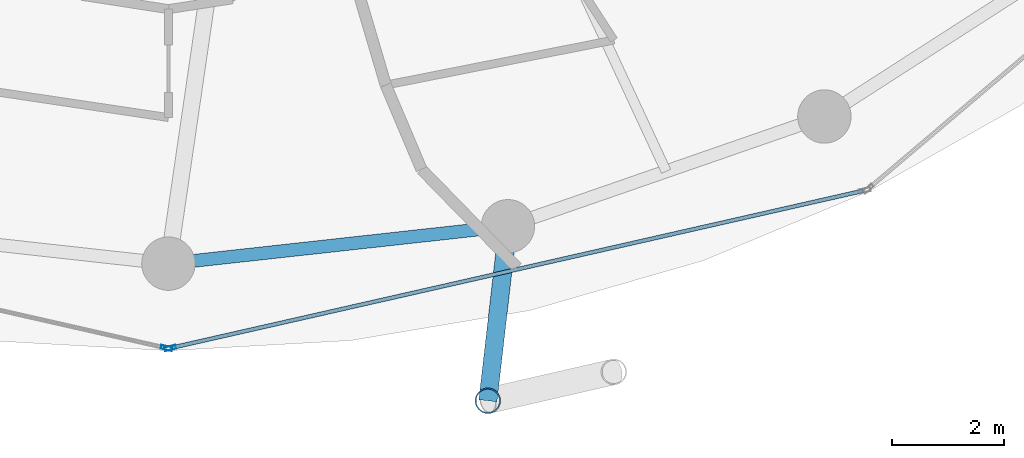
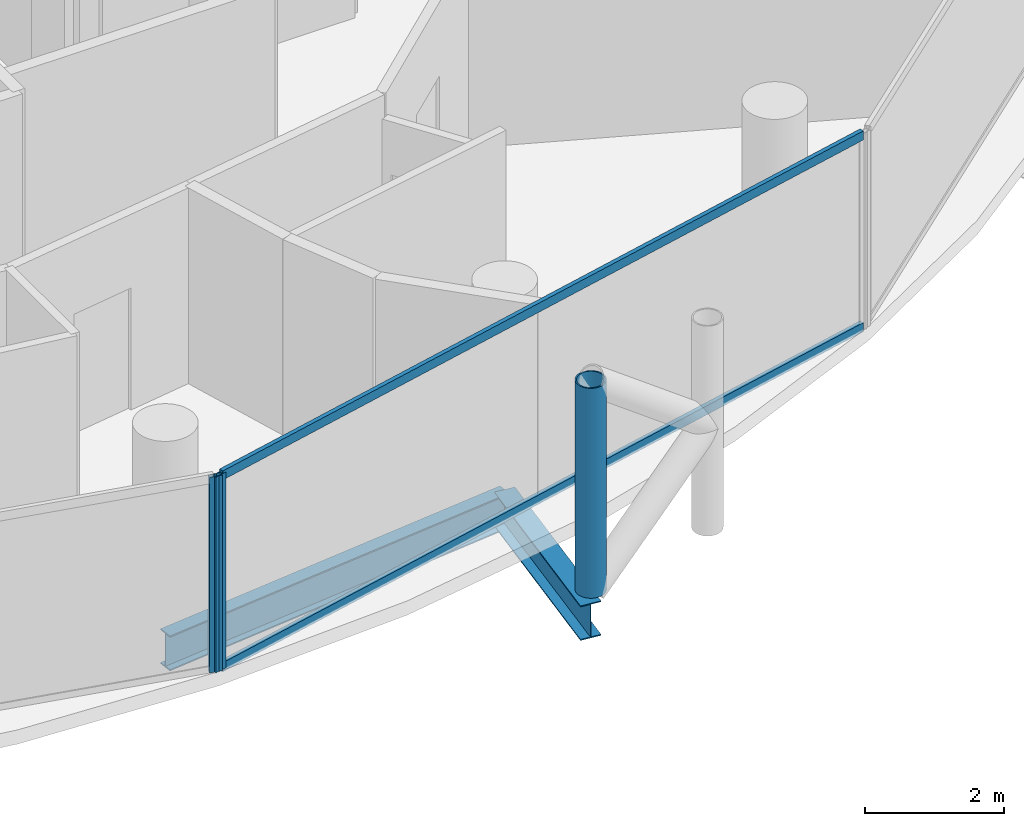
# One storey, part 4 of 26: 5 members, 2 beams, 2 elements without a shape of their own.
"""IFC4 building model written with IfcOpenShell, lengths in metres."""

from ifc_helpers import new_model, si_unit, direction, frame, origin, origin_2d, place, context, subcontext, project, spatial, hollow_rectangle, hollow_circle, i_section, extrude, material, layer, layer_set, material_profile, profile_set, type_object, element, aggregate, save


model = new_model("IFC4")

# Units and contexts
model_context = context("Model", 3, precision=1e-05, world=origin(), true_north=direction((0.0, 1.0)))
body_context = subcontext(model_context, "Body", "Model", "MODEL_VIEW")
ifc_project = project(units=[si_unit("LENGTHUNIT", "METRE"), si_unit("AREAUNIT", "SQUARE_METRE"), si_unit("VOLUMEUNIT", "CUBIC_METRE"), si_unit("PLANEANGLEUNIT", "RADIAN"), si_unit("MASSUNIT", "GRAM", prefix="KILO")], contexts=[model_context])

# Site, building, storey
site_placement = place(None, origin())
site = spatial("IfcSite", under=ifc_project, at=site_placement, CompositionType="ELEMENT")
building_placement = place(site_placement, origin())
building = spatial("IfcBuilding", under=site, at=building_placement, Name="Nuhasar Tower", CompositionType="ELEMENT")
storey_placement = place(building_placement, frame((0.0, 0.0, 121.949951171875)))
storey = spatial("IfcBuildingStorey", under=building, at=storey_placement, Name="L28", CompositionType="ELEMENT", Elevation=121.949951171875)

# Beams
ifc_material_1 = material(Name="Steel S355", Category="steel")
ifc_material_profile_1 = material_profile(ifc_material_1, i_section(OverallWidth=0.22998046875, OverallDepth=0.616943359375, WebThickness=0.01318359375, FlangeThickness=0.022216796875, at=origin_2d()), Name="W24X94")
ifc_profile_set_1 = profile_set([ifc_material_profile_1], Name="Steel S355")
beam_type_1 = type_object("IfcBeamType", Name="BM-RING-W24X94", PredefinedType="SPANDREL", material=ifc_profile_set_1)
beam_1_placement = place(storey_placement, frame((39.0, 7.25, -0.557861328125), z_axis=(0.993981289157, 0.109549974015, 0.0), x_axis=(-0.109549974015, 0.993981289157, 0.0)))
element("IfcBeam", 1, at=beam_1_placement, inside=storey, type_object=beam_type_1, Name="L28 Perimeter Ring Spandrel 19", PredefinedType="SPANDREL", context=body_context, shape_type="SweptSolid", body=[
    extrude(i_section(OverallWidth=0.22998046875, OverallDepth=0.616943359375, WebThickness=0.01318359375, FlangeThickness=0.022216796875, at=origin_2d()), origin(), (0.0, 0.0, 1.0), 6.07958984375),
])
ifc_material_profile_2 = material_profile(ifc_material_1, i_section(OverallWidth=0.323974609375, OverallDepth=0.611083984375, WebThickness=0.0126953125, FlangeThickness=0.01904296875, at=origin_2d()), Name="W24X104")
ifc_profile_set_2 = profile_set([ifc_material_profile_2], Name="Steel S355")
beam_type_2 = type_object("IfcBeamType", Name="BM-TIE-W24X104", PredefinedType="BEAM", material=ifc_profile_set_2)
beam_2_placement = place(storey_placement, frame((45.04296875, 7.916015625, -0.554931640625), z_axis=(-0.114167639647, -0.993461499031, 0.0), x_axis=(0.993461499031, -0.114167639647, 0.0)))
element("IfcBeam", 2, at=beam_2_placement, inside=storey, type_object=beam_type_2, Name="L28 Exoskeleton Node Tie Beam 10", PredefinedType="BEAM", context=body_context, shape_type="SweptSolid", body=[
    extrude(i_section(OverallWidth=0.323974609375, OverallDepth=0.611083984375, WebThickness=0.0126953125, FlangeThickness=0.01904296875, at=origin_2d()), origin(), (0.0, 0.0, 1.0), 3.12646484375),
])

# Curtain wall, member
ifc_material_2 = material(Name="Aluminium 6063-T6", Category="aluminium")
ifc_layer = layer(ifc_material_2, 0.199951171875)
ifc_layer_set = layer_set([ifc_layer], Name="Aluminium 6063-T6")
curtain_wall_type = type_object("IfcCurtainWallType", Name="CW-Z2-HTL", PredefinedType="NOTDEFINED", material=ifc_layer_set)
curtain_wall_1_placement = place(storey_placement, origin())
curtain_wall_1 = element("IfcCurtainWall", 3, at=curtain_wall_1_placement, inside=storey, type_object=curtain_wall_type, Name="L28 Unitised Curtain Wall 09", PredefinedType="NOTDEFINED")
ifc_material_profile_3 = material_profile(ifc_material_2, hollow_rectangle(XDim=0.070068359375, YDim=0.199951171875, WallThickness=0.0048828125, at=origin_2d()), Name="CWM-3")
ifc_profile_set_3 = profile_set([ifc_material_profile_3], Name="Aluminium 6063-T6")
member_type_1 = type_object("IfcMemberType", Name="CW-MUL-S3", PredefinedType="MULLION", material=ifc_profile_set_3)
member_1_placement = place(storey_placement, frame((38.9658203125, 5.747802734375, 0.0), z_axis=(0.0, 0.0, 1.0), x_axis=(0.22139729566, 0.975183694221, 0.0)))
member_1 = element("IfcMember", 4, at=member_1_placement, type_object=member_type_1, Name="CW-Z2 mullion 2", PredefinedType="MULLION", context=body_context, shape_type="SweptSolid", body=[
    extrude(hollow_rectangle(XDim=0.070068359375, YDim=0.199951171875, WallThickness=0.0048828125, at=origin_2d()), origin(), (0.0, 0.0, 1.0), 3.449951171875),
])
aggregate(curtain_wall_1, [member_1])

# Curtain wall, members
curtain_wall_2_placement = place(storey_placement, origin())
curtain_wall_2 = element("IfcCurtainWall", 5, at=curtain_wall_2_placement, inside=storey, type_object=curtain_wall_type, Name="L28 Unitised Curtain Wall 10", PredefinedType="NOTDEFINED")
member_2_placement = place(storey_placement, frame((39.0341796875, 5.747802734375, 0.0), z_axis=(0.0, 0.0, 1.0), x_axis=(-0.22139729566, 0.975183694221, 0.0)))
member_2 = element("IfcMember", 6, at=member_2_placement, type_object=member_type_1, Name="CW-Z2 mullion 1", PredefinedType="MULLION", context=body_context, shape_type="SweptSolid", body=[
    extrude(hollow_rectangle(XDim=0.070068359375, YDim=0.199951171875, WallThickness=0.0048828125, at=origin_2d()), origin(), (0.0, 0.0, 1.0), 3.449951171875),
])
ifc_material_profile_4 = material_profile(ifc_material_2, hollow_rectangle(XDim=0.070068359375, YDim=0.159912109375, WallThickness=0.00439453125, at=origin_2d()), Name="CWT-3")
ifc_profile_set_4 = profile_set([ifc_material_profile_4], Name="Aluminium 6063-T6")
member_type_2 = type_object("IfcMemberType", Name="CW-TRN-S3", PredefinedType="USERDEFINED", material=ifc_profile_set_4)
member_3_placement = place(storey_placement, frame((39.068359375, 5.755615234375, 0.03515625), z_axis=(0.975187615691, 0.221380022142, 0.0), x_axis=(-0.221380022142, 0.975187615691, 0.0)))
member_3 = element("IfcMember", 7, at=member_3_placement, type_object=member_type_2, Name="CW-Z2 transom 1.1", ObjectType="TRANSOM", PredefinedType="USERDEFINED", context=body_context, shape_type="SweptSolid", body=[
    extrude(hollow_rectangle(XDim=0.070068359375, YDim=0.159912109375, WallThickness=0.00439453125, at=origin_2d()), origin(), (0.0, 0.0, 1.0), 12.606201171875),
])
member_4_placement = place(storey_placement, frame((39.068359375, 5.755615234375, 3.4150390625), z_axis=(0.975187615691, 0.221380022142, 0.0), x_axis=(-0.221380022142, 0.975187615691, 0.0)))
member_4 = element("IfcMember", 8, at=member_4_placement, type_object=member_type_2, Name="CW-Z2 transom 1.2", ObjectType="TRANSOM", PredefinedType="USERDEFINED", context=body_context, shape_type="SweptSolid", body=[
    extrude(hollow_rectangle(XDim=0.070068359375, YDim=0.159912109375, WallThickness=0.00439453125, at=origin_2d()), origin(), (0.0, 0.0, 1.0), 12.606201171875),
])
aggregate(curtain_wall_2, [member_2, member_3, member_4])

# Member
ifc_material_3 = material(Name="Steel S460", Category="steel")
ifc_material_profile_5 = material_profile(ifc_material_3, hollow_circle(Radius=0.228515625, WallThickness=0.022216796875, at=origin_2d()), Name="HSS457X22.2")
ifc_profile_set_5 = profile_set([ifc_material_profile_5], Name="Steel S460")
member_type_3 = type_object("IfcMemberType", Name="EXO-BRONZE-457", PredefinedType="BRACE", material=ifc_profile_set_5)
member_5_placement = place(storey_placement, frame((44.68603515625, 4.81005859375, 0.0), z_axis=(0.0, 0.0, 1.0), x_axis=(1.0, 0.0, 0.0)))
element("IfcMember", 9, at=member_5_placement, inside=storey, type_object=member_type_3, Name="L28 Exoskeleton Chord Column EC-10A", PredefinedType="BRACE", context=body_context, shape_type="SweptSolid", body=[
    extrude(hollow_circle(Radius=0.228515625, WallThickness=0.022216796875, at=origin_2d()), origin(), (0.0, 0.0, 1.0), 3.699951171875),
])

save(model, "model.ifc")
